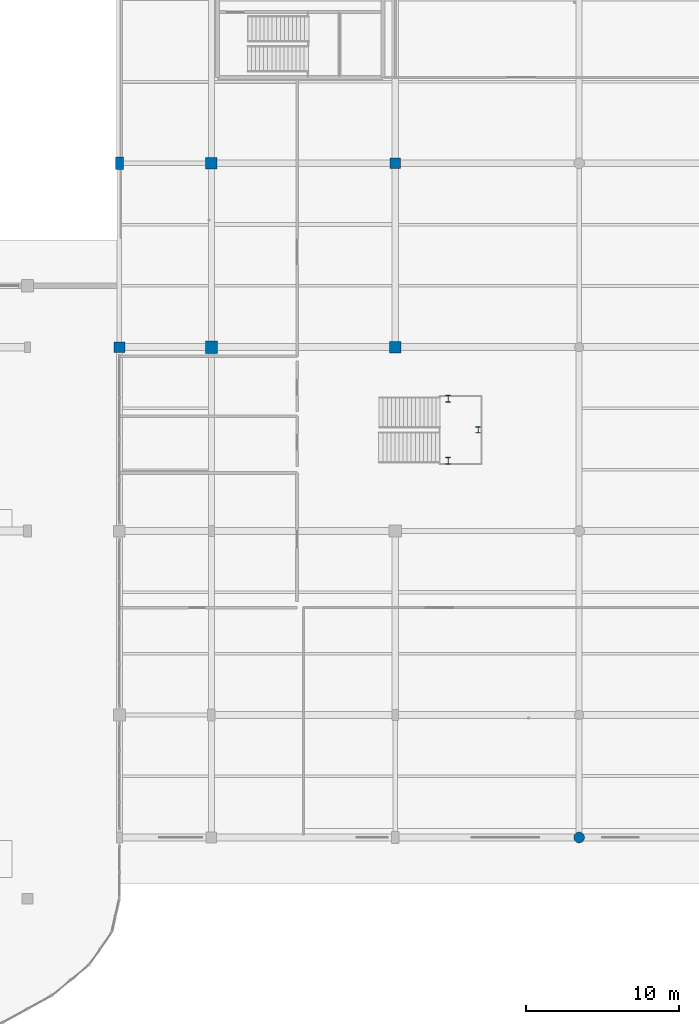
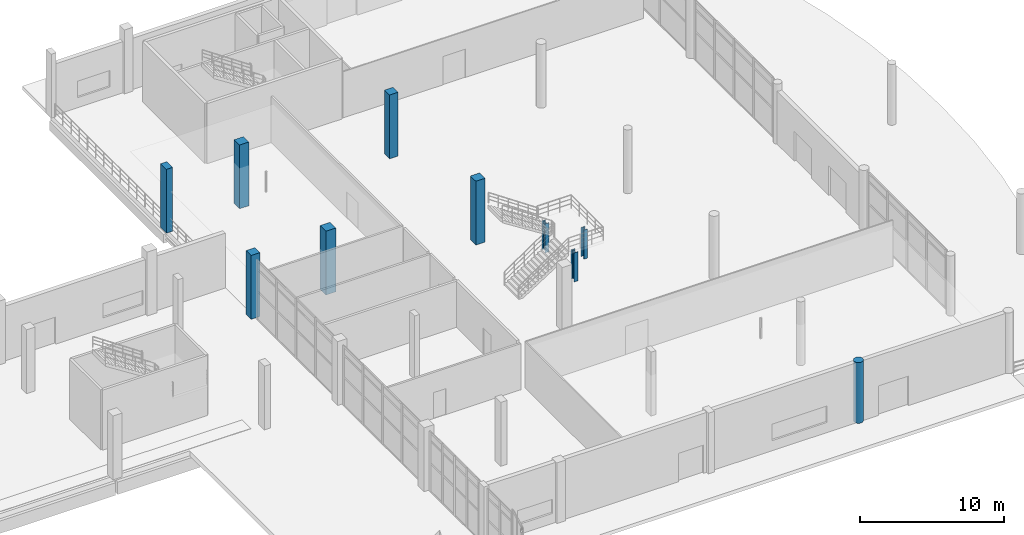
# One storey, part 13 of 85: 10 columns.
"""IFC4 building model written with IfcOpenShell, lengths in metres."""

from ifc_helpers import new_model, si_unit, direction, frame, origin, origin_2d, place, context, subcontext, project, spatial, rectangle, circle, i_section, extrude, material, material_profile, profile_set, type_object, element, save


model = new_model("IFC4")

# Units and contexts
model_context = context("Model", 3, precision=1e-05, world=origin(), true_north=direction((0.0, 1.0)))
body_context = subcontext(model_context, "Body", "Model", "MODEL_VIEW")
ifc_project = project(units=[si_unit("LENGTHUNIT", "METRE"), si_unit("AREAUNIT", "SQUARE_METRE"), si_unit("VOLUMEUNIT", "CUBIC_METRE"), si_unit("PLANEANGLEUNIT", "RADIAN"), si_unit("MASSUNIT", "GRAM", prefix="KILO"), si_unit("THERMODYNAMICTEMPERATUREUNIT", "KELVIN"), si_unit("POWERUNIT", "WATT")], contexts=[model_context])

# Site, building, storey
site_placement = place(None, origin())
site = spatial("IfcSite", under=ifc_project, at=site_placement, CompositionType="ELEMENT")
building_placement = place(site_placement, origin())
building = spatial("IfcBuilding", under=site, at=building_placement, Name="Solmara Park Aquatics Centre", CompositionType="ELEMENT")
storey_placement = place(building_placement, origin())
storey = spatial("IfcBuildingStorey", under=building, at=storey_placement, Name="L00", CompositionType="ELEMENT", Elevation=0.0)

# Columns
ifc_material_1 = material(Name="Structural Steel S355", Category="steel")
ifc_material_profile_1 = material_profile(ifc_material_1, i_section(OverallWidth=0.300048828125, OverallDepth=0.39990234375, WebThickness=0.013427734375, FlangeThickness=0.02392578125, FilletRadius=0.027099609375, at=origin_2d()), Name="HEB 400")
ifc_profile_set_1 = profile_set([ifc_material_profile_1], Name="Structural Steel S355")
column_type_1 = type_object("IfcColumnType", Name="STR-COL-HEB400", PredefinedType="COLUMN", material=ifc_profile_set_1)
column_1_placement = place(storey_placement, frame((185.409912109375, 43.199951171875, 0.0), z_axis=(0.0, 0.0, 1.0), x_axis=(1.0, 0.0, 0.0)))
element("IfcColumn", 1, at=column_1_placement, inside=storey, type_object=column_type_1, Name="Monumental Foyer Stair ST-06 Half-Landing Support Column M", PredefinedType="COLUMN", context=body_context, shape_type="SweptSolid", body=[
    extrude(i_section(OverallWidth=0.300048828125, OverallDepth=0.39990234375, WebThickness=0.013427734375, FlangeThickness=0.02392578125, FilletRadius=0.027099609375, at=origin_2d()), origin(), (0.0, 0.0, 1.0), 2.4599609375),
])
ifc_material_profile_2 = material_profile(ifc_material_1, i_section(OverallWidth=0.300048828125, OverallDepth=0.449951171875, WebThickness=0.013916015625, FlangeThickness=0.02587890625, FilletRadius=0.027099609375, at=origin_2d()), Name="HEB 450")
ifc_profile_set_2 = profile_set([ifc_material_profile_2], Name="Structural Steel S355")
column_type_2 = type_object("IfcColumnType", Name="STR-COL-HEB450", PredefinedType="COLUMN", material=ifc_profile_set_2)
for number, where, z_axis, x_axis, name in (
    (2, (183.449951171875, 41.179931640625, 0.0), (0.0, 0.0, 1.0), (1.0, 0.0, 0.0), "Monumental Foyer Stair ST-06 Half-Landing Support Column S"),
    (3, (183.449951171875, 45.219970703125, 0.0), (0.0, 0.0, 1.0), (1.0, 0.0, 0.0), "Monumental Foyer Stair ST-06 Half-Landing Support Column N"),
):
    element("IfcColumn", number, at=place(storey_placement, frame(where, z_axis=z_axis, x_axis=x_axis)), inside=storey, type_object=column_type_2, Name=name, PredefinedType="COLUMN", context=body_context, shape_type="SweptSolid", body=[
        extrude(i_section(OverallWidth=0.300048828125, OverallDepth=0.449951171875, WebThickness=0.013916015625, FlangeThickness=0.02587890625, FilletRadius=0.027099609375, at=origin_2d()), origin(), (0.0, 0.0, 1.0), 2.4599609375),
    ])
ifc_material_2 = material(Name="Concrete C40/50", Category="concrete")
ifc_material_profile_3 = material_profile(ifc_material_2, rectangle(XDim=0.5, YDim=0.800048828125, at=origin_2d()), Name="RC 500x800")
ifc_profile_set_3 = profile_set([ifc_material_profile_3], Name="Concrete C40/50")
column_type_3 = type_object("IfcColumnType", Name="STR-COL-RC500x800", PredefinedType="COLUMN", material=ifc_profile_set_3)
column_2_placement = place(storey_placement, frame((162.0, 60.60009765625, 0.0), z_axis=(0.0, 0.0, 1.0), x_axis=(1.0, 0.0, 0.0)))
element("IfcColumn", 4, at=column_2_placement, inside=storey, type_object=column_type_3, Name="Column L00-0288", PredefinedType="COLUMN", context=body_context, shape_type="SweptSolid", body=[
    extrude(rectangle(XDim=0.5, YDim=0.800048828125, at=origin_2d()), origin(), (0.0, 0.0, 1.0), 5.39990234375),
])
ifc_material_profile_4 = material_profile(ifc_material_2, rectangle(XDim=0.699951171875, YDim=0.699951171875, at=origin_2d()), Name="RC 700x700")
ifc_profile_set_4 = profile_set([ifc_material_profile_4], Name="Concrete C40/50")
column_type_4 = type_object("IfcColumnType", Name="STR-COL-RC700", PredefinedType="COLUMN", material=ifc_profile_set_4)
for number, where, z_axis, x_axis, name in (
    (5, (162.0, 48.60009765625, 0.0), (0.0, 0.0, 1.0), (1.0, 0.0, 0.0), "Column L00-0287"),
    (6, (180.0, 60.60009765625, 0.0), (0.0, 0.0, 1.0), (1.0, 0.0, 0.0), "Column L00-0302"),
):
    element("IfcColumn", number, at=place(storey_placement, frame(where, z_axis=z_axis, x_axis=x_axis)), inside=storey, type_object=column_type_4, Name=name, PredefinedType="COLUMN", context=body_context, shape_type="SweptSolid", body=[
        extrude(rectangle(XDim=0.699951171875, YDim=0.699951171875, at=origin_2d()), origin(), (0.0, 0.0, 1.0), 5.39990234375),
    ])
ifc_material_profile_5 = material_profile(ifc_material_2, rectangle(XDim=0.75, YDim=0.75, at=origin_2d()), Name="RC 750x750")
ifc_profile_set_5 = profile_set([ifc_material_profile_5], Name="Concrete C40/50")
column_type_5 = type_object("IfcColumnType", Name="STR-COL-RC750", PredefinedType="COLUMN", material=ifc_profile_set_5)
for number, where, z_axis, x_axis, name in (
    (7, (168.0, 60.60009765625, 0.0), (0.0, 0.0, 1.0), (1.0, 0.0, 0.0), "Column L00-0296"),
    (8, (180.0, 48.60009765625, 0.0), (0.0, 0.0, 1.0), (1.0, 0.0, 0.0), "Column L00-0301"),
):
    element("IfcColumn", number, at=place(storey_placement, frame(where, z_axis=z_axis, x_axis=x_axis)), inside=storey, type_object=column_type_5, Name=name, PredefinedType="COLUMN", context=body_context, shape_type="SweptSolid", body=[
        extrude(rectangle(XDim=0.75, YDim=0.75, at=origin_2d()), origin(), (0.0, 0.0, 1.0), 5.39990234375),
    ])
ifc_material_profile_6 = material_profile(ifc_material_2, rectangle(XDim=0.800048828125, YDim=0.800048828125, at=origin_2d()), Name="RC 800x800")
ifc_profile_set_6 = profile_set([ifc_material_profile_6], Name="Concrete C40/50")
column_type_6 = type_object("IfcColumnType", Name="STR-COL-RC800", PredefinedType="COLUMN", material=ifc_profile_set_6)
column_3_placement = place(storey_placement, frame((168.0, 48.60009765625, 0.0), z_axis=(0.0, 0.0, 1.0), x_axis=(1.0, 0.0, 0.0)))
element("IfcColumn", 9, at=column_3_placement, inside=storey, type_object=column_type_6, Name="Column L00-0295", PredefinedType="COLUMN", context=body_context, shape_type="SweptSolid", body=[
    extrude(rectangle(XDim=0.800048828125, YDim=0.800048828125, at=origin_2d()), origin(), (0.0, 0.0, 1.0), 5.39990234375),
])
ifc_material_profile_7 = material_profile(ifc_material_2, circle(Radius=0.35009765625, at=origin_2d()), Name="RC COL D700")
ifc_profile_set_7 = profile_set([ifc_material_profile_7], Name="Concrete C40/50")
column_type_7 = type_object("IfcColumnType", Name="STR-COL-RCD700", PredefinedType="COLUMN", material=ifc_profile_set_7)
column_4_placement = place(storey_placement, frame((192.0, 16.60009765625, 0.0), z_axis=(0.0, 0.0, 1.0), x_axis=(1.0, 0.0, 0.0)))
element("IfcColumn", 10, at=column_4_placement, inside=storey, type_object=column_type_7, Name="Column L00-0304", PredefinedType="COLUMN", context=body_context, shape_type="SweptSolid", body=[
    extrude(circle(Radius=0.35009765625, at=origin_2d()), origin(), (0.0, 0.0, 1.0), 5.139892578125),
])

save(model, "model.ifc")
